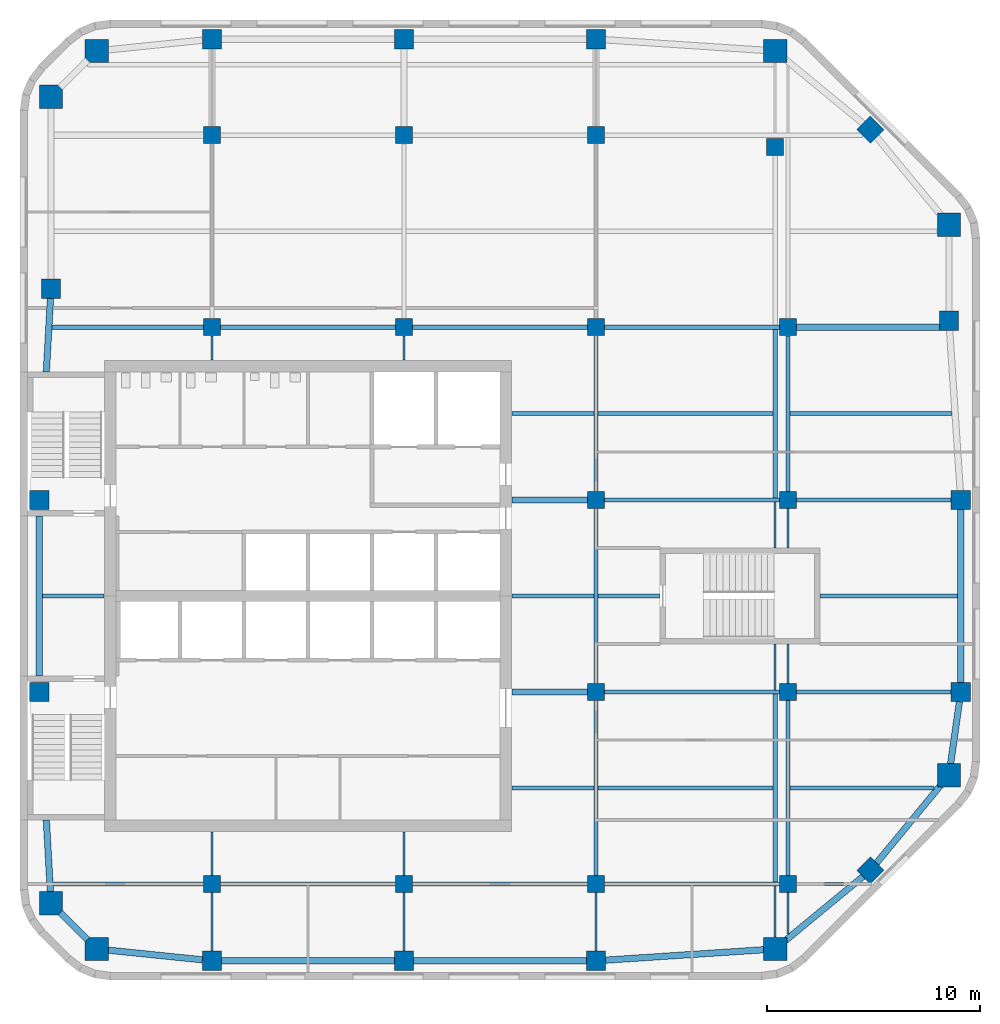
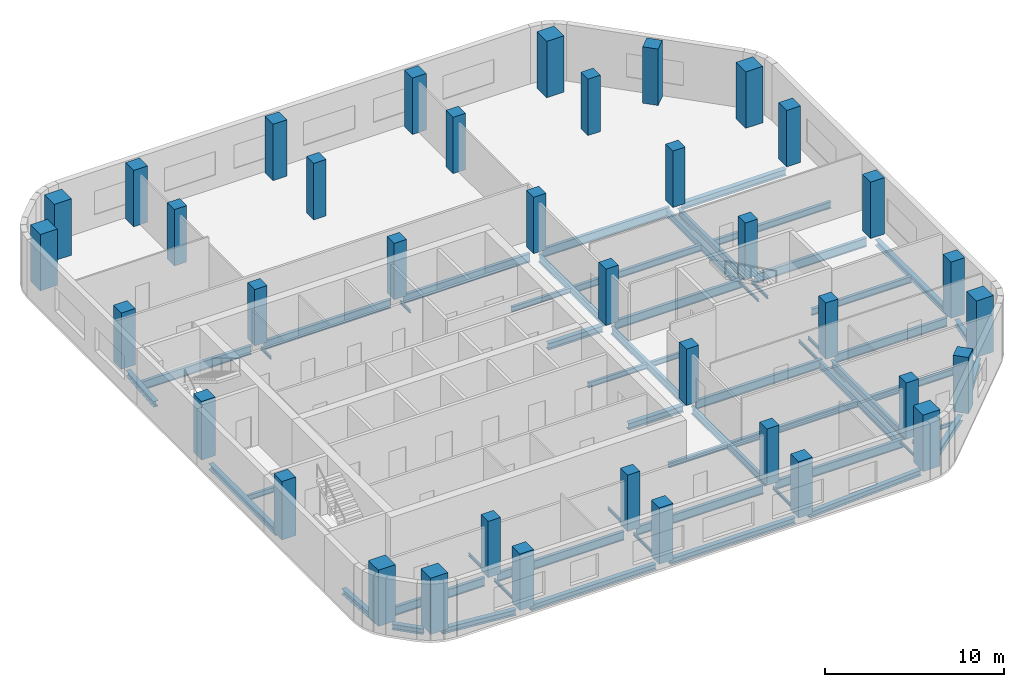
# One storey, part 1 of 7: 58 beams, 38 columns.
"""IFC4 building model written with IfcOpenShell, lengths in metres."""

from ifc_helpers import new_model, si_unit, direction, frame, origin, origin_2d, place, context, subcontext, project, spatial, rectangle, i_section, extrude, material, material_profile, profile_set, type_object, element, save


model = new_model("IFC4")

# Units and contexts
model_context = context("Model", 3, precision=1e-05, world=origin(), true_north=direction((0.0, 1.0)))
body_context = subcontext(model_context, "Body", "Model", "MODEL_VIEW")
ifc_project = project(units=[si_unit("LENGTHUNIT", "METRE"), si_unit("AREAUNIT", "SQUARE_METRE"), si_unit("VOLUMEUNIT", "CUBIC_METRE"), si_unit("PLANEANGLEUNIT", "RADIAN"), si_unit("MASSUNIT", "GRAM", prefix="KILO")], contexts=[model_context])

# Site, building, storey
site_placement = place(None, origin())
site = spatial("IfcSite", under=ifc_project, at=site_placement, CompositionType="ELEMENT")
building_placement = place(site_placement, origin())
building = spatial("IfcBuilding", under=site, at=building_placement, Name="Cinnabar Reach Civic Tower", CompositionType="ELEMENT")
storey_placement = place(building_placement, frame((0.0, 0.0, 230.0)))
storey = spatial("IfcBuildingStorey", under=building, at=storey_placement, Name="L55", CompositionType="ELEMENT", Elevation=230.0)

# Columns
ifc_material_1 = material(Name="Concrete C80", Category="concrete")
ifc_material_profile_1 = material_profile(ifc_material_1, rectangle(XDim=1.1, YDim=1.1, at=origin_2d()), Name="RC1100")
ifc_profile_set_1 = profile_set([ifc_material_profile_1], Name="Concrete C80")
column_type_1 = type_object("IfcColumnType", Name="RC1100 column R 240", PredefinedType="COLUMN", material=ifc_profile_set_1)
for number, where, z_axis, x_axis, name in (
    (1, (3.6019, 14.9531, 0.0), (0.0, 0.0, 1.0), (1.0, 0.0, 0.0), "Column T1-Z4-CC0"),
    (2, (35.3981, 14.9531, 0.0), (0.0, 0.0, 1.0), (1.0, 0.0, 0.0), "Column T1-Z4-CC1"),
    (3, (43.5469, 23.1019, 0.0), (0.0, 0.0, 1.0), (1.0, 0.0, 0.0), "Column T1-Z4-CC2"),
    (4, (43.5469, 48.8981, 0.0), (0.0, 0.0, 1.0), (1.0, 0.0, 0.0), "Column T1-Z4-CC3"),
    (5, (35.3981, 57.0469, 0.0), (0.0, 0.0, 1.0), (1.0, 0.0, 0.0), "Column T1-Z4-CC4"),
    (6, (3.6019, 57.0469, 0.0), (0.0, 0.0, 1.0), (1.0, 0.0, 0.0), "Column T1-Z4-CC5"),
    (7, (1.4531, 54.8981, 0.0), (0.0, 0.0, 1.0), (1.0, 0.0, 0.0), "Column T1-Z4-CC6"),
    (8, (1.4531, 17.1019, 0.0), (0.0, 0.0, 1.0), (1.0, 0.0, 0.0), "Column T1-Z4-CC7"),
):
    element("IfcColumn", number, at=place(storey_placement, frame(where, z_axis=z_axis, x_axis=x_axis)), inside=storey, type_object=column_type_1, Name=name, PredefinedType="COLUMN", context=body_context, shape_type="SweptSolid", body=[
        extrude(rectangle(XDim=1.1, YDim=1.1, at=origin_2d()), origin(), (0.0, 0.0, 1.0), 3.85),
    ])
ifc_material_2 = material(Name="Concrete C60", Category="concrete")
ifc_material_profile_2 = material_profile(ifc_material_2, rectangle(XDim=0.8, YDim=0.8, at=origin_2d()), Name="RC800")
ifc_profile_set_2 = profile_set([ifc_material_profile_2], Name="Concrete C60")
column_type_2 = type_object("IfcColumnType", Name="RC800 column R 240", PredefinedType="COLUMN", material=ifc_profile_set_2)
for number, where, z_axis, x_axis, name in (
    (9, (9.0, 18.0, 0.0), (0.0, 0.0, 1.0), (1.0, 0.0, 0.0), "Column T1-Z4-I9_18"),
    (10, (9.0, 44.1, 0.0), (0.0, 0.0, 1.0), (1.0, 0.0, 0.0), "Column T1-Z4-I9_45"),
    (11, (9.0, 53.1, 0.0), (0.0, 0.0, 1.0), (1.0, 0.0, 0.0), "Column T1-Z4-I9_54"),
    (12, (18.0, 18.0, 0.0), (0.0, 0.0, 1.0), (1.0, 0.0, 0.0), "Column T1-Z4-I18_18"),
    (13, (18.0, 44.1, 0.0), (0.0, 0.0, 1.0), (1.0, 0.0, 0.0), "Column T1-Z4-I18_45"),
    (14, (18.0, 53.1, 0.0), (0.0, 0.0, 1.0), (1.0, 0.0, 0.0), "Column T1-Z4-I18_54"),
    (15, (27.0, 18.0, 0.0), (0.0, 0.0, 1.0), (1.0, 0.0, 0.0), "Column T1-Z4-I27_18"),
    (16, (27.0, 27.0, 0.0), (0.0, 0.0, 1.0), (1.0, 0.0, 0.0), "Column T1-Z4-I27_27"),
    (17, (27.0, 36.0, 0.0), (0.0, 0.0, 1.0), (1.0, 0.0, 0.0), "Column T1-Z4-I27_36"),
    (18, (27.0, 44.1, 0.0), (0.0, 0.0, 1.0), (1.0, 0.0, 0.0), "Column T1-Z4-I27_45"),
    (19, (27.0, 53.1, 0.0), (0.0, 0.0, 1.0), (1.0, 0.0, 0.0), "Column T1-Z4-I27_54"),
    (20, (36.0, 18.0, 0.0), (0.0, 0.0, 1.0), (1.0, 0.0, 0.0), "Column T1-Z4-I36_18"),
    (21, (36.0, 27.0, 0.0), (0.0, 0.0, 1.0), (1.0, 0.0, 0.0), "Column T1-Z4-I36_27"),
    (22, (36.0, 36.0, 0.0), (0.0, 0.0, 1.0), (1.0, 0.0, 0.0), "Column T1-Z4-I36_36"),
    (23, (36.0, 44.1, 0.0), (0.0, 0.0, 1.0), (1.0, 0.0, 0.0), "Column T1-Z4-I36_45"),
    (24, (35.3981, 52.5469, 0.0), (0.0, 0.0, 1.0), (1.0, 0.0, 0.0), "Column T1-Z4-I36_54"),
):
    element("IfcColumn", number, at=place(storey_placement, frame(where, z_axis=z_axis, x_axis=x_axis)), inside=storey, type_object=column_type_2, Name=name, PredefinedType="COLUMN", context=body_context, shape_type="SweptSolid", body=[
        extrude(rectangle(XDim=0.8, YDim=0.8, at=origin_2d()), origin(), (0.0, 0.0, 1.0), 3.85),
    ])
ifc_material_3 = material(Name="Concrete C70", Category="concrete")
ifc_material_profile_3 = material_profile(ifc_material_3, rectangle(XDim=0.9, YDim=0.9, at=origin_2d()), Name="RC900")
ifc_profile_set_3 = profile_set([ifc_material_profile_3], Name="Concrete C70")
column_type_3 = type_object("IfcColumnType", Name="RC900 column R 240", PredefinedType="COLUMN", material=ifc_profile_set_3)
for number, where, z_axis, x_axis, name in (
    (25, (9.0, 14.4, 0.0), (0.0, 0.0, 1.0), (1.0, 0.0, 0.0), "Column T1-Z4-F0-1"),
    (26, (18.0, 14.4, 0.0), (0.0, 0.0, 1.0), (1.0, 0.0, 0.0), "Column T1-Z4-F0-2"),
    (27, (27.0, 14.4, 0.0), (0.0, 0.0, 1.0), (1.0, 0.0, 0.0), "Column T1-Z4-F0-3"),
    (28, (39.8636, 18.6364, 0.0), (0.0, 0.0, 1.0), (0.707106781187, 0.707106781187, 0.0), "Column T1-Z4-F1-M"),
    (29, (44.1, 27.0, 0.0), (0.0, 0.0, 1.0), (1.0, 0.0, 0.0), "Column T1-Z4-F2-3"),
    (30, (44.1, 36.0, 0.0), (0.0, 0.0, 1.0), (1.0, 0.0, 0.0), "Column T1-Z4-F2-4"),
    (31, (43.5469, 44.3981, 0.0), (0.0, 0.0, 1.0), (1.0, 0.0, 0.0), "Column T1-Z4-F2-5"),
    (32, (39.8636, 53.3636, 0.0), (0.0, 0.0, 1.0), (0.707106781187, 0.707106781187, 0.0), "Column T1-Z4-F3-M"),
    (33, (9.0, 57.6, 0.0), (0.0, 0.0, 1.0), (1.0, 0.0, 0.0), "Column T1-Z4-F4-1"),
    (34, (18.0, 57.6, 0.0), (0.0, 0.0, 1.0), (1.0, 0.0, 0.0), "Column T1-Z4-F4-2"),
    (35, (27.0, 57.6, 0.0), (0.0, 0.0, 1.0), (1.0, 0.0, 0.0), "Column T1-Z4-F4-3"),
):
    element("IfcColumn", number, at=place(storey_placement, frame(where, z_axis=z_axis, x_axis=x_axis)), inside=storey, type_object=column_type_3, Name=name, PredefinedType="COLUMN", context=body_context, shape_type="SweptSolid", body=[
        extrude(rectangle(XDim=0.9, YDim=0.9, at=origin_2d()), origin(), (0.0, 0.0, 1.0), 3.85),
    ])
for number, where, z_axis, x_axis, name in (
    (36, (0.9, 27.0, 0.0), (0.0, 0.0, 1.0), (1.0, 0.0, 0.0), "Column T1-Z4-F6-3"),
    (37, (0.9, 36.0, 0.0), (0.0, 0.0, 1.0), (1.0, 0.0, 0.0), "Column T1-Z4-F6-4"),
):
    element("IfcColumn", number, at=place(storey_placement, frame(where, z_axis=z_axis, x_axis=x_axis)), inside=storey, type_object=column_type_3, Name=name, PredefinedType="COLUMN", context=body_context, shape_type="SweptSolid", body=[
        extrude(rectangle(XDim=0.9, YDim=0.9, at=origin_2d()), origin(), (0.0, 0.0, 1.0), 4.0),
    ])
column_placement = place(storey_placement, frame((1.4531, 45.8981, 0.0), z_axis=(0.0, 0.0, 1.0), x_axis=(1.0, 0.0, 0.0)))
element("IfcColumn", 38, at=column_placement, inside=storey, type_object=column_type_3, Name="Column T1-Z4-F6-5", PredefinedType="COLUMN", context=body_context, shape_type="SweptSolid", body=[
    extrude(rectangle(XDim=0.9, YDim=0.9, at=origin_2d()), origin(), (0.0, 0.0, 1.0), 3.85),
])

# Beams
ifc_material_4 = material(Name="Steel Q355B", Category="steel")
ifc_material_profile_4 = material_profile(ifc_material_4, i_section(OverallWidth=0.3, OverallDepth=0.39, WebThickness=0.01, FlangeThickness=0.016, FilletRadius=0.013, at=origin_2d()), Name="HM390x300x10x16")
ifc_profile_set_4 = profile_set([ifc_material_profile_4], Name="Steel Q355B")
beam_type_1 = type_object("IfcBeamType", Name="HM390x300x10x16 beam R 180", PredefinedType="BEAM", material=ifc_profile_set_4)
beam_1_placement = place(storey_placement, frame((4.0339, 14.9088, -0.345), z_axis=(0.994792272495, -0.101923179821, 0.0), x_axis=(0.101923179821, 0.994792272495, 0.0)))
element("IfcBeam", 39, at=beam_1_placement, inside=storey, type_object=beam_type_1, Name="Edge beam T1 L55 1", PredefinedType="BEAM", context=body_context, shape_type="SweptSolid", body=[
    extrude(i_section(OverallWidth=0.3, OverallDepth=0.39, WebThickness=0.01, FlangeThickness=0.016, FilletRadius=0.013, at=origin_2d()), origin(), (0.0, 0.0, 1.0), 4.5377),
])
for number, where, z_axis, x_axis, name in (
    (40, (9.452, 14.4, -0.345), (1.0, 0.0, 0.0), (0.0, 1.0, 0.0), "Edge beam T1 L55 2"),
    (41, (18.452, 14.4, -0.345), (1.0, 0.0, 0.0), (0.0, 1.0, 0.0), "Edge beam T1 L55 3"),
):
    element("IfcBeam", number, at=place(storey_placement, frame(where, z_axis=z_axis, x_axis=x_axis)), inside=storey, type_object=beam_type_1, Name=name, PredefinedType="BEAM", context=body_context, shape_type="SweptSolid", body=[
        extrude(i_section(OverallWidth=0.3, OverallDepth=0.39, WebThickness=0.01, FlangeThickness=0.016, FilletRadius=0.013, at=origin_2d()), origin(), (0.0, 0.0, 1.0), 8.096),
    ])
beam_2_placement = place(storey_placement, frame((27.452, 14.4298, -0.345), z_axis=(0.99783894477, 0.065707231721, 0.0), x_axis=(-0.065707231721, 0.99783894477, 0.0)))
element("IfcBeam", 42, at=beam_2_placement, inside=storey, type_object=beam_type_1, Name="Edge beam T1 L55 4", PredefinedType="BEAM", context=body_context, shape_type="SweptSolid", body=[
    extrude(i_section(OverallWidth=0.3, OverallDepth=0.39, WebThickness=0.01, FlangeThickness=0.016, FilletRadius=0.013, at=origin_2d()), origin(), (0.0, 0.0, 1.0), 7.5304),
])
for number, where, z_axis, x_axis, name in (
    (43, (35.8301, 15.3094, -0.345), (0.771434448755, 0.63630880182, 0.0), (-0.63630880182, 0.771434448755, 0.0), "Edge beam T1 L55 5"),
    (44, (40.1142, 18.9402, -0.345), (0.63630880182, 0.771434448755, 0.0), (-0.771434448755, 0.63630880182, 0.0), "Edge beam T1 L55 6"),
):
    element("IfcBeam", number, at=place(storey_placement, frame(where, z_axis=z_axis, x_axis=x_axis)), inside=storey, type_object=beam_type_1, Name=name, PredefinedType="BEAM", context=body_context, shape_type="SweptSolid", body=[
        extrude(i_section(OverallWidth=0.3, OverallDepth=0.39, WebThickness=0.01, FlangeThickness=0.016, FilletRadius=0.013, at=origin_2d()), origin(), (0.0, 0.0, 1.0), 4.8348),
    ])
beam_3_placement = place(storey_placement, frame((43.6082, 23.5339, -0.345), z_axis=(0.140492342965, 0.990081765092, 0.0), x_axis=(-0.990081765092, 0.140492342965, 0.0)))
element("IfcBeam", 45, at=beam_3_placement, inside=storey, type_object=beam_type_1, Name="Edge beam T1 L55 7", PredefinedType="BEAM", context=body_context, shape_type="SweptSolid", body=[
    extrude(i_section(OverallWidth=0.3, OverallDepth=0.39, WebThickness=0.01, FlangeThickness=0.016, FilletRadius=0.013, at=origin_2d()), origin(), (0.0, 0.0, 1.0), 3.0443),
])
beam_4_placement = place(storey_placement, frame((44.1, 27.452, -0.345), z_axis=(0.0, 1.0, 0.0), x_axis=(-1.0, 0.0, 0.0)))
element("IfcBeam", 46, at=beam_4_placement, inside=storey, type_object=beam_type_1, Name="Edge beam T1 L55 8", PredefinedType="BEAM", context=body_context, shape_type="SweptSolid", body=[
    extrude(i_section(OverallWidth=0.3, OverallDepth=0.39, WebThickness=0.01, FlangeThickness=0.016, FilletRadius=0.013, at=origin_2d()), origin(), (0.0, 0.0, 1.0), 8.096),
])
beam_5_placement = place(storey_placement, frame((1.4278, 45.4461, -0.345), z_axis=(-0.0557766862, -0.998443268932, 0.0), x_axis=(0.998443268932, -0.0557766862, 0.0)))
element("IfcBeam", 47, at=beam_5_placement, inside=storey, type_object=beam_type_1, Name="Edge beam T1 L55 19", PredefinedType="BEAM", context=body_context, shape_type="SweptSolid", body=[
    extrude(i_section(OverallWidth=0.3, OverallDepth=0.39, WebThickness=0.01, FlangeThickness=0.016, FilletRadius=0.013, at=origin_2d()), origin(), (0.0, 0.0, 1.0), 3.4495),
])
beam_6_placement = place(storey_placement, frame((0.9, 35.248, -0.345), z_axis=(0.0, -1.0, 0.0), x_axis=(1.0, 0.0, 0.0)))
element("IfcBeam", 48, at=beam_6_placement, inside=storey, type_object=beam_type_1, Name="Edge beam T1 L55 20", PredefinedType="BEAM", context=body_context, shape_type="SweptSolid", body=[
    extrude(i_section(OverallWidth=0.3, OverallDepth=0.39, WebThickness=0.01, FlangeThickness=0.016, FilletRadius=0.013, at=origin_2d()), origin(), (0.0, 0.0, 1.0), 7.496),
])
beam_7_placement = place(storey_placement, frame((1.2354, 20.998, -0.345), z_axis=(0.05580045603, -0.998441940779, 0.0), x_axis=(0.998441940779, 0.05580045603, 0.0)))
element("IfcBeam", 49, at=beam_7_placement, inside=storey, type_object=beam_type_1, Name="Edge beam T1 L55 21", PredefinedType="BEAM", context=body_context, shape_type="SweptSolid", body=[
    extrude(i_section(OverallWidth=0.3, OverallDepth=0.39, WebThickness=0.01, FlangeThickness=0.016, FilletRadius=0.013, at=origin_2d()), origin(), (0.0, 0.0, 1.0), 3.4695),
])
beam_8_placement = place(storey_placement, frame((1.8851, 16.6699, -0.345), z_axis=(0.707106781187, -0.707106781187, 0.0), x_axis=(0.707106781187, 0.707106781187, 0.0)))
element("IfcBeam", 50, at=beam_8_placement, inside=storey, type_object=beam_type_1, Name="Edge beam T1 L55 22", PredefinedType="BEAM", context=body_context, shape_type="SweptSolid", body=[
    extrude(i_section(OverallWidth=0.3, OverallDepth=0.39, WebThickness=0.01, FlangeThickness=0.016, FilletRadius=0.013, at=origin_2d()), origin(), (0.0, 0.0, 1.0), 1.817),
])
ifc_material_profile_5 = material_profile(ifc_material_4, i_section(OverallWidth=0.3, OverallDepth=0.44, WebThickness=0.011, FlangeThickness=0.018, FilletRadius=0.016, at=origin_2d()), Name="HM440x300x11x18")
ifc_profile_set_5 = profile_set([ifc_material_profile_5], Name="Steel Q355B")
beam_type_2 = type_object("IfcBeamType", Name="HM440x300x11x18 beam R 180", PredefinedType="BEAM", material=ifc_profile_set_5)
for number, where, z_axis, x_axis, name in (
    (51, (23.052, 27.0, -0.37), (1.0, 0.0, 0.0), (0.0, 1.0, 0.0), "Girder T1 L55 6"),
    (52, (23.052, 36.0, -0.37), (1.0, 0.0, 0.0), (0.0, 1.0, 0.0), "Girder T1 L55 9"),
):
    element("IfcBeam", number, at=place(storey_placement, frame(where, z_axis=z_axis, x_axis=x_axis)), inside=storey, type_object=beam_type_2, Name=name, PredefinedType="BEAM", context=body_context, shape_type="SweptSolid", body=[
        extrude(i_section(OverallWidth=0.3, OverallDepth=0.44, WebThickness=0.011, FlangeThickness=0.018, FilletRadius=0.016, at=origin_2d()), origin(), (0.0, 0.0, 1.0), 3.546),
    ])
beam_9_placement = place(storey_placement, frame((36.402, 44.1, -0.37), z_axis=(1.0, 0.0, 0.0), x_axis=(0.0, 1.0, 0.0)))
element("IfcBeam", 53, at=beam_9_placement, inside=storey, type_object=beam_type_2, Name="Girder T1 L55 16", PredefinedType="BEAM", context=body_context, shape_type="SweptSolid", body=[
    extrude(i_section(OverallWidth=0.3, OverallDepth=0.44, WebThickness=0.011, FlangeThickness=0.018, FilletRadius=0.016, at=origin_2d()), origin(), (0.0, 0.0, 1.0), 6.6929),
])
ifc_material_profile_6 = material_profile(ifc_material_4, i_section(OverallWidth=0.099, OverallDepth=0.198, WebThickness=0.0045, FlangeThickness=0.007, FilletRadius=0.013, at=origin_2d()), Name="HN200x100x5.5x8")
ifc_profile_set_6 = profile_set([ifc_material_profile_6], Name="Steel Q355B")
beam_type_3 = type_object("IfcBeamType", Name="HN200x100x5.5x8 beam R 180", PredefinedType="BEAM", material=ifc_profile_set_6)
beam_10_placement = place(storey_placement, frame((9.0, 14.852, -0.249), z_axis=(0.0, 1.0, 0.0), x_axis=(-1.0, 0.0, 0.0)))
element("IfcBeam", 54, at=beam_10_placement, inside=storey, type_object=beam_type_3, Name="Girder T1 L55 1", PredefinedType="BEAM", context=body_context, shape_type="SweptSolid", body=[
    extrude(i_section(OverallWidth=0.099, OverallDepth=0.198, WebThickness=0.0045, FlangeThickness=0.007, FilletRadius=0.013, at=origin_2d()), origin(), (0.0, 0.0, 1.0), 2.746),
])
beam_11_placement = place(storey_placement, frame((9.0, 18.402, -0.249), z_axis=(0.0, 1.0, 0.0), x_axis=(-1.0, 0.0, 0.0)))
element("IfcBeam", 55, at=beam_11_placement, inside=storey, type_object=beam_type_3, Name="Girder T1 L55 2", PredefinedType="BEAM", context=body_context, shape_type="SweptSolid", body=[
    extrude(i_section(OverallWidth=0.099, OverallDepth=0.198, WebThickness=0.0045, FlangeThickness=0.007, FilletRadius=0.013, at=origin_2d()), origin(), (0.0, 0.0, 1.0), 2.046),
])
beam_12_placement = place(storey_placement, frame((9.0, 42.552, -0.249), z_axis=(0.0, 1.0, 0.0), x_axis=(-1.0, 0.0, 0.0)))
element("IfcBeam", 56, at=beam_12_placement, inside=storey, type_object=beam_type_3, Name="Girder T1 L55 3", PredefinedType="BEAM", context=body_context, shape_type="SweptSolid", body=[
    extrude(i_section(OverallWidth=0.099, OverallDepth=0.198, WebThickness=0.0045, FlangeThickness=0.007, FilletRadius=0.013, at=origin_2d()), origin(), (0.0, 0.0, 1.0), 1.146),
])
beam_13_placement = place(storey_placement, frame((18.0, 14.852, -0.249), z_axis=(0.0, 1.0, 0.0), x_axis=(-1.0, 0.0, 0.0)))
element("IfcBeam", 57, at=beam_13_placement, inside=storey, type_object=beam_type_3, Name="Girder T1 L55 6", PredefinedType="BEAM", context=body_context, shape_type="SweptSolid", body=[
    extrude(i_section(OverallWidth=0.099, OverallDepth=0.198, WebThickness=0.0045, FlangeThickness=0.007, FilletRadius=0.013, at=origin_2d()), origin(), (0.0, 0.0, 1.0), 2.746),
])
beam_14_placement = place(storey_placement, frame((18.0, 18.402, -0.249), z_axis=(0.0, 1.0, 0.0), x_axis=(-1.0, 0.0, 0.0)))
element("IfcBeam", 58, at=beam_14_placement, inside=storey, type_object=beam_type_3, Name="Girder T1 L55 7", PredefinedType="BEAM", context=body_context, shape_type="SweptSolid", body=[
    extrude(i_section(OverallWidth=0.099, OverallDepth=0.198, WebThickness=0.0045, FlangeThickness=0.007, FilletRadius=0.013, at=origin_2d()), origin(), (0.0, 0.0, 1.0), 2.046),
])
beam_15_placement = place(storey_placement, frame((18.0, 42.552, -0.249), z_axis=(0.0, 1.0, 0.0), x_axis=(-1.0, 0.0, 0.0)))
element("IfcBeam", 59, at=beam_15_placement, inside=storey, type_object=beam_type_3, Name="Girder T1 L55 8", PredefinedType="BEAM", context=body_context, shape_type="SweptSolid", body=[
    extrude(i_section(OverallWidth=0.099, OverallDepth=0.198, WebThickness=0.0045, FlangeThickness=0.007, FilletRadius=0.013, at=origin_2d()), origin(), (0.0, 0.0, 1.0), 1.146),
])
beam_16_placement = place(storey_placement, frame((27.0, 14.852, -0.249), z_axis=(0.0, 1.0, 0.0), x_axis=(-1.0, 0.0, 0.0)))
element("IfcBeam", 60, at=beam_16_placement, inside=storey, type_object=beam_type_3, Name="Girder T1 L55 11", PredefinedType="BEAM", context=body_context, shape_type="SweptSolid", body=[
    extrude(i_section(OverallWidth=0.099, OverallDepth=0.198, WebThickness=0.0045, FlangeThickness=0.007, FilletRadius=0.013, at=origin_2d()), origin(), (0.0, 0.0, 1.0), 2.746),
])
beam_17_placement = place(storey_placement, frame((35.3981, 15.5051, -0.249), z_axis=(0.0, 1.0, 0.0), x_axis=(-1.0, 0.0, 0.0)))
element("IfcBeam", 61, at=beam_17_placement, inside=storey, type_object=beam_type_3, Name="Girder T1 L55 17", PredefinedType="BEAM", context=body_context, shape_type="SweptSolid", body=[
    extrude(i_section(OverallWidth=0.099, OverallDepth=0.198, WebThickness=0.0045, FlangeThickness=0.007, FilletRadius=0.013, at=origin_2d()), origin(), (0.0, 0.0, 1.0), 2.3934),
])
for number, where, z_axis, x_axis, name in (
    (62, (35.3981, 27.1015, -0.249), (0.0, 1.0, 0.0), (-1.0, 0.0, 0.0), "Girder T1 L55 19"),
    (63, (35.3981, 33.752, -0.249), (0.0, 1.0, 0.0), (-1.0, 0.0, 0.0), "Girder T1 L55 20"),
):
    element("IfcBeam", number, at=place(storey_placement, frame(where, z_axis=z_axis, x_axis=x_axis)), inside=storey, type_object=beam_type_3, Name=name, PredefinedType="BEAM", context=body_context, shape_type="SweptSolid", body=[
        extrude(i_section(OverallWidth=0.099, OverallDepth=0.198, WebThickness=0.0045, FlangeThickness=0.007, FilletRadius=0.013, at=origin_2d()), origin(), (0.0, 0.0, 1.0), 2.1465),
    ])
beam_18_placement = place(storey_placement, frame((36.0, 15.6466, -0.249), z_axis=(0.0, 1.0, 0.0), x_axis=(-1.0, 0.0, 0.0)))
element("IfcBeam", 64, at=beam_18_placement, inside=storey, type_object=beam_type_3, Name="Girder T1 L55 24", PredefinedType="BEAM", context=body_context, shape_type="SweptSolid", body=[
    extrude(i_section(OverallWidth=0.099, OverallDepth=0.198, WebThickness=0.0045, FlangeThickness=0.007, FilletRadius=0.013, at=origin_2d()), origin(), (0.0, 0.0, 1.0), 1.9514),
])
for number, where, z_axis, x_axis, name in (
    (65, (36.0, 27.402, -0.249), (0.0, 1.0, 0.0), (-1.0, 0.0, 0.0), "Girder T1 L55 26"),
    (66, (36.0, 33.752, -0.249), (0.0, 1.0, 0.0), (-1.0, 0.0, 0.0), "Girder T1 L55 27"),
):
    element("IfcBeam", number, at=place(storey_placement, frame(where, z_axis=z_axis, x_axis=x_axis)), inside=storey, type_object=beam_type_3, Name=name, PredefinedType="BEAM", context=body_context, shape_type="SweptSolid", body=[
        extrude(i_section(OverallWidth=0.099, OverallDepth=0.198, WebThickness=0.0045, FlangeThickness=0.007, FilletRadius=0.013, at=origin_2d()), origin(), (0.0, 0.0, 1.0), 1.846),
    ])
ifc_material_profile_7 = material_profile(ifc_material_4, i_section(OverallWidth=0.124, OverallDepth=0.248, WebThickness=0.005, FlangeThickness=0.008, FilletRadius=0.013, at=origin_2d()), Name="HN250x125x6x9")
ifc_profile_set_7 = profile_set([ifc_material_profile_7], Name="Steel Q355B")
beam_type_4 = type_object("IfcBeamType", Name="HN250x125x6x9 beam R 180", PredefinedType="BEAM", material=ifc_profile_set_7)
beam_19_placement = place(storey_placement, frame((36.402, 18.0, -0.274), z_axis=(1.0, 0.0, 0.0), x_axis=(0.0, 1.0, 0.0)))
element("IfcBeam", 67, at=beam_19_placement, inside=storey, type_object=beam_type_4, Name="Girder T1 L55 5", PredefinedType="BEAM", context=body_context, shape_type="SweptSolid", body=[
    extrude(i_section(OverallWidth=0.124, OverallDepth=0.248, WebThickness=0.005, FlangeThickness=0.008, FilletRadius=0.013, at=origin_2d()), origin(), (0.0, 0.0, 1.0), 2.4512),
])
ifc_material_profile_8 = material_profile(ifc_material_4, i_section(OverallWidth=0.174, OverallDepth=0.346, WebThickness=0.006, FlangeThickness=0.009, FilletRadius=0.013, at=origin_2d()), Name="HN346x174x6x9")
ifc_profile_set_8 = profile_set([ifc_material_profile_8], Name="Steel Q355B")
beam_type_5 = type_object("IfcBeamType", Name="HN346x174x6x9 beam R 180", PredefinedType="BEAM", material=ifc_profile_set_8)
beam_20_placement = place(storey_placement, frame((23.052, 22.5, -0.323), z_axis=(1.0, 0.0, 0.0), x_axis=(0.0, 1.0, 0.0)))
element("IfcBeam", 68, at=beam_20_placement, inside=storey, type_object=beam_type_5, Name="Secondary beam T1 L55 1", PredefinedType="BEAM", context=body_context, shape_type="SweptSolid", body=[
    extrude(i_section(OverallWidth=0.174, OverallDepth=0.346, WebThickness=0.006, FlangeThickness=0.009, FilletRadius=0.013, at=origin_2d()), origin(), (0.0, 0.0, 1.0), 3.846),
])
beam_21_placement = place(storey_placement, frame((1.052, 31.5, -0.323), z_axis=(1.0, 0.0, 0.0), x_axis=(0.0, 1.0, 0.0)))
element("IfcBeam", 69, at=beam_21_placement, inside=storey, type_object=beam_type_5, Name="Secondary beam T1 L55 4", PredefinedType="BEAM", context=body_context, shape_type="SweptSolid", body=[
    extrude(i_section(OverallWidth=0.174, OverallDepth=0.346, WebThickness=0.006, FlangeThickness=0.009, FilletRadius=0.013, at=origin_2d()), origin(), (0.0, 0.0, 1.0), 2.896),
])
beam_22_placement = place(storey_placement, frame((23.052, 31.5, -0.323), z_axis=(1.0, 0.0, 0.0), x_axis=(0.0, 1.0, 0.0)))
element("IfcBeam", 70, at=beam_22_placement, inside=storey, type_object=beam_type_5, Name="Secondary beam T1 L55 5", PredefinedType="BEAM", context=body_context, shape_type="SweptSolid", body=[
    extrude(i_section(OverallWidth=0.174, OverallDepth=0.346, WebThickness=0.006, FlangeThickness=0.009, FilletRadius=0.013, at=origin_2d()), origin(), (0.0, 0.0, 1.0), 3.846),
])
beam_23_placement = place(storey_placement, frame((27.102, 31.5, -0.323), z_axis=(1.0, 0.0, 0.0), x_axis=(0.0, 1.0, 0.0)))
element("IfcBeam", 71, at=beam_23_placement, inside=storey, type_object=beam_type_5, Name="Secondary beam T1 L55 6", PredefinedType="BEAM", context=body_context, shape_type="SweptSolid", body=[
    extrude(i_section(OverallWidth=0.174, OverallDepth=0.346, WebThickness=0.006, FlangeThickness=0.009, FilletRadius=0.013, at=origin_2d()), origin(), (0.0, 0.0, 1.0), 2.896),
])
beam_24_placement = place(storey_placement, frame((23.052, 40.05, -0.323), z_axis=(1.0, 0.0, 0.0), x_axis=(0.0, 1.0, 0.0)))
element("IfcBeam", 72, at=beam_24_placement, inside=storey, type_object=beam_type_5, Name="Secondary beam T1 L55 8", PredefinedType="BEAM", context=body_context, shape_type="SweptSolid", body=[
    extrude(i_section(OverallWidth=0.174, OverallDepth=0.346, WebThickness=0.006, FlangeThickness=0.009, FilletRadius=0.013, at=origin_2d()), origin(), (0.0, 0.0, 1.0), 3.846),
])
ifc_material_profile_9 = material_profile(ifc_material_4, i_section(OverallWidth=0.199, OverallDepth=0.446, WebThickness=0.008, FlangeThickness=0.012, FilletRadius=0.016, at=origin_2d()), Name="HN446x199x8x12")
ifc_profile_set_9 = profile_set([ifc_material_profile_9], Name="Steel Q355B")
beam_type_6 = type_object("IfcBeamType", Name="HN446x199x8x12 beam R 180", PredefinedType="BEAM", material=ifc_profile_set_9)
beam_25_placement = place(storey_placement, frame((27.102, 22.5, -0.373), z_axis=(1.0, 0.0, 0.0), x_axis=(0.0, 1.0, 0.0)))
element("IfcBeam", 73, at=beam_25_placement, inside=storey, type_object=beam_type_6, Name="Secondary beam T1 L55 2", PredefinedType="BEAM", context=body_context, shape_type="SweptSolid", body=[
    extrude(i_section(OverallWidth=0.199, OverallDepth=0.446, WebThickness=0.008, FlangeThickness=0.012, FilletRadius=0.016, at=origin_2d()), origin(), (0.0, 0.0, 1.0), 8.1941),
])
beam_26_placement = place(storey_placement, frame((36.102, 22.5, -0.373), z_axis=(1.0, 0.0, 0.0), x_axis=(0.0, 1.0, 0.0)))
element("IfcBeam", 74, at=beam_26_placement, inside=storey, type_object=beam_type_6, Name="Secondary beam T1 L55 3", PredefinedType="BEAM", context=body_context, shape_type="SweptSolid", body=[
    extrude(i_section(OverallWidth=0.199, OverallDepth=0.446, WebThickness=0.008, FlangeThickness=0.012, FilletRadius=0.016, at=origin_2d()), origin(), (0.0, 0.0, 1.0), 6.7514),
])
beam_27_placement = place(storey_placement, frame((37.502, 31.5, -0.373), z_axis=(1.0, 0.0, 0.0), x_axis=(0.0, 1.0, 0.0)))
element("IfcBeam", 75, at=beam_27_placement, inside=storey, type_object=beam_type_6, Name="Secondary beam T1 L55 7", PredefinedType="BEAM", context=body_context, shape_type="SweptSolid", body=[
    extrude(i_section(OverallWidth=0.199, OverallDepth=0.446, WebThickness=0.008, FlangeThickness=0.012, FilletRadius=0.016, at=origin_2d()), origin(), (0.0, 0.0, 1.0), 6.446),
])
beam_28_placement = place(storey_placement, frame((27.102, 40.05, -0.373), z_axis=(1.0, 0.0, 0.0), x_axis=(0.0, 1.0, 0.0)))
element("IfcBeam", 76, at=beam_28_placement, inside=storey, type_object=beam_type_6, Name="Secondary beam T1 L55 9", PredefinedType="BEAM", context=body_context, shape_type="SweptSolid", body=[
    extrude(i_section(OverallWidth=0.199, OverallDepth=0.446, WebThickness=0.008, FlangeThickness=0.012, FilletRadius=0.016, at=origin_2d()), origin(), (0.0, 0.0, 1.0), 8.1941),
])
beam_29_placement = place(storey_placement, frame((36.102, 40.05, -0.373), z_axis=(1.0, 0.0, 0.0), x_axis=(0.0, 1.0, 0.0)))
element("IfcBeam", 77, at=beam_29_placement, inside=storey, type_object=beam_type_6, Name="Secondary beam T1 L55 10", PredefinedType="BEAM", context=body_context, shape_type="SweptSolid", body=[
    extrude(i_section(OverallWidth=0.199, OverallDepth=0.446, WebThickness=0.008, FlangeThickness=0.012, FilletRadius=0.016, at=origin_2d()), origin(), (0.0, 0.0, 1.0), 7.5789),
])
ifc_material_profile_10 = material_profile(ifc_material_4, i_section(OverallWidth=0.2, OverallDepth=0.5, WebThickness=0.01, FlangeThickness=0.016, FilletRadius=0.016, at=origin_2d()), Name="HN500x200x10x16")
ifc_profile_set_10 = profile_set([ifc_material_profile_10], Name="Steel Q355B")
beam_type_7 = type_object("IfcBeamType", Name="HN500x200x10x16 beam R 180", PredefinedType="BEAM", material=ifc_profile_set_10)
for number, where, z_axis, x_axis, name in (
    (78, (27.0, 18.402, -0.4), (0.0, 1.0, 0.0), (-1.0, 0.0, 0.0), "Girder T1 L55 12"),
    (79, (27.0, 27.402, -0.4), (0.0, 1.0, 0.0), (-1.0, 0.0, 0.0), "Girder T1 L55 13"),
):
    element("IfcBeam", number, at=place(storey_placement, frame(where, z_axis=z_axis, x_axis=x_axis)), inside=storey, type_object=beam_type_7, Name=name, PredefinedType="BEAM", context=body_context, shape_type="SweptSolid", body=[
        extrude(i_section(OverallWidth=0.2, OverallDepth=0.5, WebThickness=0.01, FlangeThickness=0.016, FilletRadius=0.016, at=origin_2d()), origin(), (0.0, 0.0, 1.0), 8.196),
    ])
beam_30_placement = place(storey_placement, frame((27.0, 36.402, -0.4), z_axis=(0.0, 1.0, 0.0), x_axis=(-1.0, 0.0, 0.0)))
element("IfcBeam", 80, at=beam_30_placement, inside=storey, type_object=beam_type_7, Name="Girder T1 L55 14", PredefinedType="BEAM", context=body_context, shape_type="SweptSolid", body=[
    extrude(i_section(OverallWidth=0.2, OverallDepth=0.5, WebThickness=0.01, FlangeThickness=0.016, FilletRadius=0.016, at=origin_2d()), origin(), (0.0, 0.0, 1.0), 7.296),
])
beam_31_placement = place(storey_placement, frame((35.3981, 18.1015, -0.4), z_axis=(0.0, 1.0, 0.0), x_axis=(-1.0, 0.0, 0.0)))
element("IfcBeam", 81, at=beam_31_placement, inside=storey, type_object=beam_type_7, Name="Girder T1 L55 18", PredefinedType="BEAM", context=body_context, shape_type="SweptSolid", body=[
    extrude(i_section(OverallWidth=0.2, OverallDepth=0.5, WebThickness=0.01, FlangeThickness=0.016, FilletRadius=0.016, at=origin_2d()), origin(), (0.0, 0.0, 1.0), 8.797),
])
beam_32_placement = place(storey_placement, frame((35.3981, 36.1015, -0.4), z_axis=(0.0, 1.0, 0.0), x_axis=(-1.0, 0.0, 0.0)))
element("IfcBeam", 82, at=beam_32_placement, inside=storey, type_object=beam_type_7, Name="Girder T1 L55 21", PredefinedType="BEAM", context=body_context, shape_type="SweptSolid", body=[
    extrude(i_section(OverallWidth=0.2, OverallDepth=0.5, WebThickness=0.01, FlangeThickness=0.016, FilletRadius=0.016, at=origin_2d()), origin(), (0.0, 0.0, 1.0), 7.897),
])
beam_33_placement = place(storey_placement, frame((36.0, 18.402, -0.4), z_axis=(0.0, 1.0, 0.0), x_axis=(-1.0, 0.0, 0.0)))
element("IfcBeam", 83, at=beam_33_placement, inside=storey, type_object=beam_type_7, Name="Girder T1 L55 25", PredefinedType="BEAM", context=body_context, shape_type="SweptSolid", body=[
    extrude(i_section(OverallWidth=0.2, OverallDepth=0.5, WebThickness=0.01, FlangeThickness=0.016, FilletRadius=0.016, at=origin_2d()), origin(), (0.0, 0.0, 1.0), 8.196),
])
beam_34_placement = place(storey_placement, frame((36.0, 36.402, -0.4), z_axis=(0.0, 1.0, 0.0), x_axis=(-1.0, 0.0, 0.0)))
element("IfcBeam", 84, at=beam_34_placement, inside=storey, type_object=beam_type_7, Name="Girder T1 L55 28", PredefinedType="BEAM", context=body_context, shape_type="SweptSolid", body=[
    extrude(i_section(OverallWidth=0.2, OverallDepth=0.5, WebThickness=0.01, FlangeThickness=0.016, FilletRadius=0.016, at=origin_2d()), origin(), (0.0, 0.0, 1.0), 7.296),
])
ifc_material_profile_11 = material_profile(ifc_material_4, i_section(OverallWidth=0.199, OverallDepth=0.596, WebThickness=0.01, FlangeThickness=0.015, FilletRadius=0.016, at=origin_2d()), Name="HN596x199x10x15")
ifc_profile_set_11 = profile_set([ifc_material_profile_11], Name="Steel Q355B")
beam_type_8 = type_object("IfcBeamType", Name="HN596x199x10x15 beam R 180", PredefinedType="BEAM", material=ifc_profile_set_11)
beam_35_placement = place(storey_placement, frame((1.5552, 18.0, -0.448), z_axis=(1.0, 0.0, 0.0), x_axis=(0.0, 1.0, 0.0)))
element("IfcBeam", 85, at=beam_35_placement, inside=storey, type_object=beam_type_8, Name="Girder T1 L55 1", PredefinedType="BEAM", context=body_context, shape_type="SweptSolid", body=[
    extrude(i_section(OverallWidth=0.199, OverallDepth=0.596, WebThickness=0.01, FlangeThickness=0.015, FilletRadius=0.016, at=origin_2d()), origin(), (0.0, 0.0, 1.0), 7.0428),
])
for number, where, z_axis, x_axis, name in (
    (86, (9.402, 18.0, -0.448), (1.0, 0.0, 0.0), (0.0, 1.0, 0.0), "Girder T1 L55 2"),
    (87, (18.402, 18.0, -0.448), (1.0, 0.0, 0.0), (0.0, 1.0, 0.0), "Girder T1 L55 3"),
    (88, (27.402, 18.0, -0.448), (1.0, 0.0, 0.0), (0.0, 1.0, 0.0), "Girder T1 L55 4"),
    (89, (27.402, 27.0, -0.448), (1.0, 0.0, 0.0), (0.0, 1.0, 0.0), "Girder T1 L55 7"),
):
    element("IfcBeam", number, at=place(storey_placement, frame(where, z_axis=z_axis, x_axis=x_axis)), inside=storey, type_object=beam_type_8, Name=name, PredefinedType="BEAM", context=body_context, shape_type="SweptSolid", body=[
        extrude(i_section(OverallWidth=0.199, OverallDepth=0.596, WebThickness=0.01, FlangeThickness=0.015, FilletRadius=0.016, at=origin_2d()), origin(), (0.0, 0.0, 1.0), 8.196),
    ])
beam_36_placement = place(storey_placement, frame((36.402, 27.0, -0.448), z_axis=(1.0, 0.0, 0.0), x_axis=(0.0, 1.0, 0.0)))
element("IfcBeam", 90, at=beam_36_placement, inside=storey, type_object=beam_type_8, Name="Girder T1 L55 8", PredefinedType="BEAM", context=body_context, shape_type="SweptSolid", body=[
    extrude(i_section(OverallWidth=0.199, OverallDepth=0.596, WebThickness=0.01, FlangeThickness=0.015, FilletRadius=0.016, at=origin_2d()), origin(), (0.0, 0.0, 1.0), 7.246),
])
beam_37_placement = place(storey_placement, frame((27.402, 36.0, -0.448), z_axis=(1.0, 0.0, 0.0), x_axis=(0.0, 1.0, 0.0)))
element("IfcBeam", 91, at=beam_37_placement, inside=storey, type_object=beam_type_8, Name="Girder T1 L55 10", PredefinedType="BEAM", context=body_context, shape_type="SweptSolid", body=[
    extrude(i_section(OverallWidth=0.199, OverallDepth=0.596, WebThickness=0.01, FlangeThickness=0.015, FilletRadius=0.016, at=origin_2d()), origin(), (0.0, 0.0, 1.0), 8.196),
])
beam_38_placement = place(storey_placement, frame((36.402, 36.0, -0.448), z_axis=(1.0, 0.0, 0.0), x_axis=(0.0, 1.0, 0.0)))
element("IfcBeam", 92, at=beam_38_placement, inside=storey, type_object=beam_type_8, Name="Girder T1 L55 11", PredefinedType="BEAM", context=body_context, shape_type="SweptSolid", body=[
    extrude(i_section(OverallWidth=0.199, OverallDepth=0.596, WebThickness=0.01, FlangeThickness=0.015, FilletRadius=0.016, at=origin_2d()), origin(), (0.0, 0.0, 1.0), 7.246),
])
beam_39_placement = place(storey_placement, frame((1.5049, 44.1, -0.448), z_axis=(1.0, 0.0, 0.0), x_axis=(0.0, 1.0, 0.0)))
element("IfcBeam", 93, at=beam_39_placement, inside=storey, type_object=beam_type_8, Name="Girder T1 L55 12", PredefinedType="BEAM", context=body_context, shape_type="SweptSolid", body=[
    extrude(i_section(OverallWidth=0.199, OverallDepth=0.596, WebThickness=0.01, FlangeThickness=0.015, FilletRadius=0.016, at=origin_2d()), origin(), (0.0, 0.0, 1.0), 7.0931),
])
for number, where, z_axis, x_axis, name in (
    (94, (9.402, 44.1, -0.448), (1.0, 0.0, 0.0), (0.0, 1.0, 0.0), "Girder T1 L55 13"),
    (95, (18.402, 44.1, -0.448), (1.0, 0.0, 0.0), (0.0, 1.0, 0.0), "Girder T1 L55 14"),
    (96, (27.402, 44.1, -0.448), (1.0, 0.0, 0.0), (0.0, 1.0, 0.0), "Girder T1 L55 15"),
):
    element("IfcBeam", number, at=place(storey_placement, frame(where, z_axis=z_axis, x_axis=x_axis)), inside=storey, type_object=beam_type_8, Name=name, PredefinedType="BEAM", context=body_context, shape_type="SweptSolid", body=[
        extrude(i_section(OverallWidth=0.199, OverallDepth=0.596, WebThickness=0.01, FlangeThickness=0.015, FilletRadius=0.016, at=origin_2d()), origin(), (0.0, 0.0, 1.0), 8.196),
    ])

save(model, "model.ifc")
